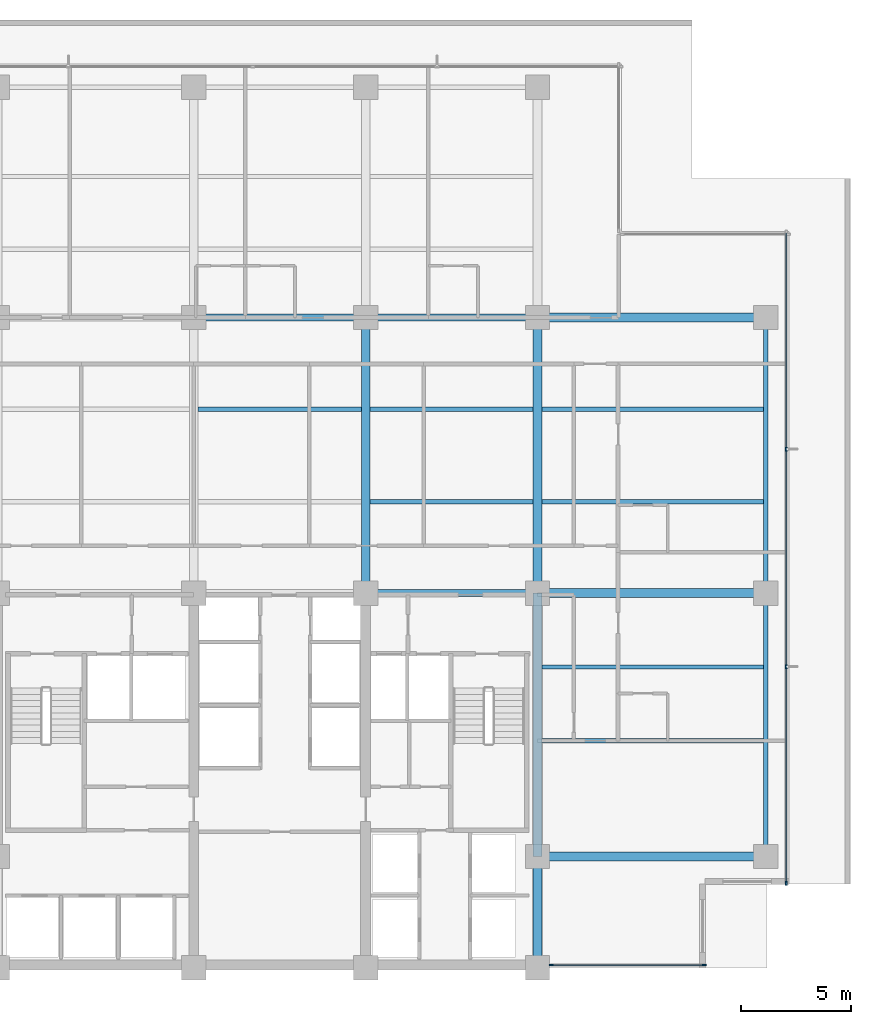
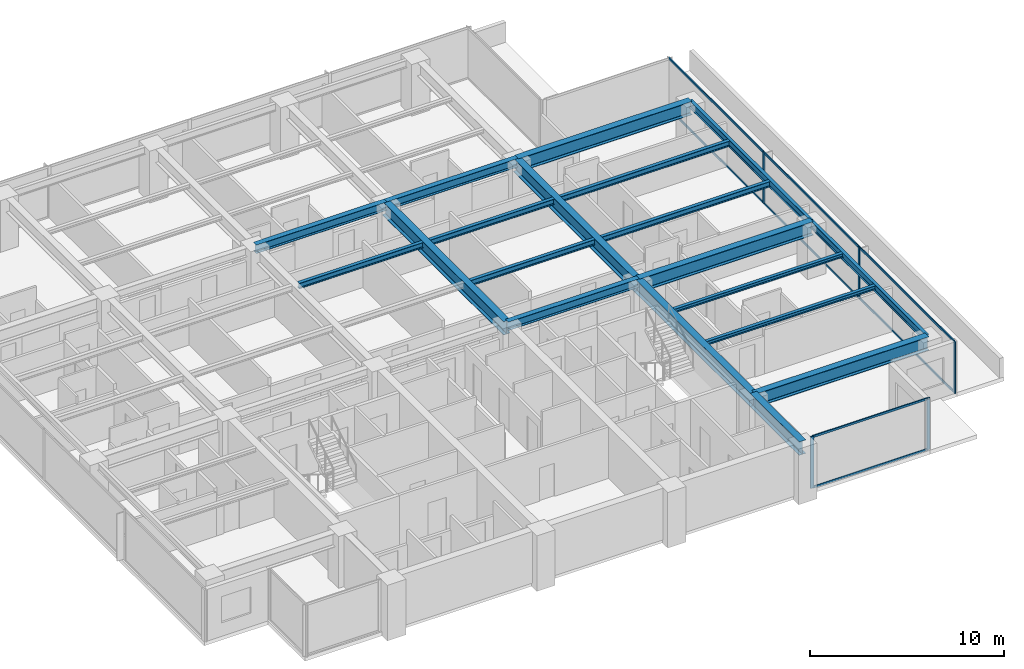
# One storey, part 3 of 16: 19 beams, 13 members, 2 elements without a shape of their own.
"""IFC4 building model written with IfcOpenShell, lengths in metres."""

from ifc_helpers import new_model, si_unit, direction, frame, origin, origin_2d, place, context, subcontext, project, spatial, rectangle, i_section, extrude, material, layer, layer_set, material_profile, profile_set, type_object, element, aggregate, save


model = new_model("IFC4")

# Units and contexts
model_context = context("Model", 3, precision=1e-05, world=origin(), true_north=direction((0.0, 1.0)))
body_context = subcontext(model_context, "Body", "Model", "MODEL_VIEW")
ifc_project = project(units=[si_unit("LENGTHUNIT", "METRE"), si_unit("AREAUNIT", "SQUARE_METRE"), si_unit("VOLUMEUNIT", "CUBIC_METRE"), si_unit("PLANEANGLEUNIT", "RADIAN"), si_unit("MASSUNIT", "GRAM", prefix="KILO")], contexts=[model_context])

# Site, building, storey
site_placement = place(None, origin())
site = spatial("IfcSite", under=ifc_project, at=site_placement, CompositionType="ELEMENT")
building_placement = place(site_placement, origin())
building = spatial("IfcBuilding", under=site, at=building_placement, Name="Qalmaran Belvedere Hotel", CompositionType="ELEMENT")
storey_placement = place(building_placement, frame((0.0, 0.0, 138.60009765625)))
storey = spatial("IfcBuildingStorey", under=building, at=storey_placement, Name="L34", CompositionType="ELEMENT", Elevation=138.60009765625)

# Beams
ifc_material_1 = material(Name="Steel S355JR", Category="steel")
ifc_material_profile_1 = material_profile(ifc_material_1, i_section(OverallWidth=0.201904296875, OverallDepth=0.2470703125, WebThickness=0.00732421875, FlangeThickness=0.010986328125, FilletRadius=0.011962890625, at=origin_2d()), Name="W250X49")
ifc_profile_set_1 = profile_set([ifc_material_profile_1], Name="Steel S355JR")
beam_type_1 = type_object("IfcBeamType", Name="BM-JST-W250X49", PredefinedType="JOIST", material=ifc_profile_set_1)
for number, where, z_axis, x_axis, name in (
    (1, (44.998046875, 13.800048828125, 3.12646484375), (1.0, 0.0, 0.0), (0.0, 1.0, 0.0), "L34 East Wing Joist 039"),
    (2, (44.998046875, 17.14990234375, 3.12646484375), (1.0, 0.0, 0.0), (0.0, 1.0, 0.0), "L34 East Wing Joist 041"),
):
    element("IfcBeam", number, at=place(storey_placement, frame(where, z_axis=z_axis, x_axis=x_axis)), inside=storey, type_object=beam_type_1, Name=name, PredefinedType="JOIST", context=body_context, shape_type="SweptSolid", body=[
        extrude(i_section(OverallWidth=0.201904296875, OverallDepth=0.2470703125, WebThickness=0.00732421875, FlangeThickness=0.010986328125, FilletRadius=0.011962890625, at=origin_2d()), origin(), (0.0, 0.0, 1.0), 10.057861328125),
    ])
ifc_material_profile_2 = material_profile(ifc_material_1, i_section(OverallWidth=0.39990234375, OverallDepth=0.85498046875, WebThickness=0.018310546875, FlangeThickness=0.029296875, FilletRadius=0.02392578125, at=origin_2d()), Name="W840X299")
ifc_profile_set_2 = profile_set([ifc_material_profile_2], Name="Steel S355JR")
beam_type_2 = type_object("IfcBeamType", Name="BM-PG3-W840X299", PredefinedType="USERDEFINED", material=ifc_profile_set_2)
for number, where, z_axis, x_axis, name in (
    (3, (37.0, 20.5, 2.822509765625), (0.0, 1.0, 0.0), (-1.0, 0.0, 0.0), "L34 Mid-Plate N-S Girder 18"),
    (4, (44.800048828125, 20.5, 2.822509765625), (0.0, 1.0, 0.0), (-1.0, 0.0, 0.0), "L34 Mid-Plate N-S Girder 20"),
):
    element("IfcBeam", number, at=place(storey_placement, frame(where, z_axis=z_axis, x_axis=x_axis)), inside=storey, type_object=beam_type_2, Name=name, ObjectType="GIRDER", PredefinedType="USERDEFINED", context=body_context, shape_type="SweptSolid", body=[
        extrude(i_section(OverallWidth=0.39990234375, OverallDepth=0.85498046875, WebThickness=0.018310546875, FlangeThickness=0.029296875, FilletRadius=0.02392578125, at=origin_2d()), origin(), (0.0, 0.0, 1.0), 12.5),
    ])
beam_1_placement = place(storey_placement, frame((44.800048828125, 3.5, 2.822509765625), z_axis=(0.0, 1.0, 0.0), x_axis=(-1.0, 0.0, 0.0)))
element("IfcBeam", 5, at=beam_1_placement, inside=storey, type_object=beam_type_2, Name="L34 East Core Edge Girder A", ObjectType="GIRDER", PredefinedType="USERDEFINED", context=body_context, shape_type="SweptSolid", body=[
    extrude(i_section(OverallWidth=0.39990234375, OverallDepth=0.85498046875, WebThickness=0.018310546875, FlangeThickness=0.029296875, FilletRadius=0.02392578125, at=origin_2d()), origin(), (0.0, 0.0, 1.0), 5.050048828125),
])
beam_2_placement = place(storey_placement, frame((44.800048828125, 8.550048828125, 2.822509765625), z_axis=(0.0, 1.0, 0.0), x_axis=(-1.0, 0.0, 0.0)))
element("IfcBeam", 6, at=beam_2_placement, inside=storey, type_object=beam_type_2, Name="L34 East Core Edge Girder B", ObjectType="GIRDER", PredefinedType="USERDEFINED", context=body_context, shape_type="SweptSolid", body=[
    extrude(i_section(OverallWidth=0.39990234375, OverallDepth=0.85498046875, WebThickness=0.018310546875, FlangeThickness=0.029296875, FilletRadius=0.02392578125, at=origin_2d()), origin(), (0.0, 0.0, 1.0), 11.949951171875),
])
for number, where, z_axis, x_axis, name in (
    (7, (44.800048828125, 8.550048828125, 2.822509765625), (1.0, 0.0, 0.0), (0.0, 1.0, 0.0), "L34 East Wing Girder 25"),
    (8, (44.800048828125, 20.5, 2.822509765625), (1.0, 0.0, 0.0), (0.0, 1.0, 0.0), "L34 East Wing Girder 26"),
    (9, (44.800048828125, 33.0, 2.822509765625), (1.0, 0.0, 0.0), (0.0, 1.0, 0.0), "L34 East Wing Girder 27"),
):
    element("IfcBeam", number, at=place(storey_placement, frame(where, z_axis=z_axis, x_axis=x_axis)), inside=storey, type_object=beam_type_2, Name=name, ObjectType="GIRDER", PredefinedType="USERDEFINED", context=body_context, shape_type="SweptSolid", body=[
        extrude(i_section(OverallWidth=0.39990234375, OverallDepth=0.85498046875, WebThickness=0.018310546875, FlangeThickness=0.029296875, FilletRadius=0.02392578125, at=origin_2d()), origin(), (0.0, 0.0, 1.0), 10.349853515625),
    ])
ifc_material_profile_3 = material_profile(ifc_material_1, i_section(OverallWidth=0.205078125, OverallDepth=0.35400390625, WebThickness=0.009521484375, FlangeThickness=0.016845703125, FilletRadius=0.014892578125, at=origin_2d()), Name="W360X79")
ifc_profile_set_3 = profile_set([ifc_material_profile_3], Name="Steel S355JR")
beam_type_3 = type_object("IfcBeamType", Name="BM-SB3-W360X79", PredefinedType="BEAM", material=ifc_profile_set_3)
beam_3_placement = place(storey_placement, frame((37.197998046875, 24.64990234375, 3.072998046875), z_axis=(1.0, 0.0, 0.0), x_axis=(0.0, 1.0, 0.0)))
element("IfcBeam", 10, at=beam_3_placement, inside=storey, type_object=beam_type_3, Name="L34 Secondary Floor Beam 031", PredefinedType="BEAM", context=body_context, shape_type="SweptSolid", body=[
    extrude(i_section(OverallWidth=0.205078125, OverallDepth=0.35400390625, WebThickness=0.009521484375, FlangeThickness=0.016845703125, FilletRadius=0.014892578125, at=origin_2d()), origin(), (0.0, 0.0, 1.0), 7.404052734375),
])
beam_4_placement = place(storey_placement, frame((44.998046875, 24.64990234375, 3.072998046875), z_axis=(1.0, 0.0, 0.0), x_axis=(0.0, 1.0, 0.0)))
element("IfcBeam", 11, at=beam_4_placement, inside=storey, type_object=beam_type_3, Name="L34 East Secondary Beam 032", PredefinedType="BEAM", context=body_context, shape_type="SweptSolid", body=[
    extrude(i_section(OverallWidth=0.205078125, OverallDepth=0.35400390625, WebThickness=0.009521484375, FlangeThickness=0.016845703125, FilletRadius=0.014892578125, at=origin_2d()), origin(), (0.0, 0.0, 1.0), 10.057861328125),
])
for number, where, z_axis, x_axis, name in (
    (12, (29.39794921875, 28.85009765625, 3.072998046875), (1.0, 0.0, 0.0), (0.0, 1.0, 0.0), "L34 Secondary Floor Beam 035"),
    (13, (37.197998046875, 28.85009765625, 3.072998046875), (1.0, 0.0, 0.0), (0.0, 1.0, 0.0), "L34 Secondary Floor Beam 036"),
):
    element("IfcBeam", number, at=place(storey_placement, frame(where, z_axis=z_axis, x_axis=x_axis)), inside=storey, type_object=beam_type_3, Name=name, PredefinedType="BEAM", context=body_context, shape_type="SweptSolid", body=[
        extrude(i_section(OverallWidth=0.205078125, OverallDepth=0.35400390625, WebThickness=0.009521484375, FlangeThickness=0.016845703125, FilletRadius=0.014892578125, at=origin_2d()), origin(), (0.0, 0.0, 1.0), 7.404052734375),
    ])
beam_5_placement = place(storey_placement, frame((44.998046875, 28.85009765625, 3.072998046875), z_axis=(1.0, 0.0, 0.0), x_axis=(0.0, 1.0, 0.0)))
element("IfcBeam", 14, at=beam_5_placement, inside=storey, type_object=beam_type_3, Name="L34 East Secondary Beam 037", PredefinedType="BEAM", context=body_context, shape_type="SweptSolid", body=[
    extrude(i_section(OverallWidth=0.205078125, OverallDepth=0.35400390625, WebThickness=0.009521484375, FlangeThickness=0.016845703125, FilletRadius=0.014892578125, at=origin_2d()), origin(), (0.0, 0.0, 1.0), 10.057861328125),
])
ifc_material_profile_4 = material_profile(ifc_material_1, i_section(OverallWidth=0.19189453125, OverallDepth=0.462890625, WebThickness=0.010498046875, FlangeThickness=0.017578125, FilletRadius=0.01611328125, at=origin_2d()), Name="W460X89")
ifc_profile_set_4 = profile_set([ifc_material_profile_4], Name="Steel S355JR")
beam_type_4 = type_object("IfcBeamType", Name="BM-SP2-W460X89", PredefinedType="SPANDREL", material=ifc_profile_set_4)
beam_6_placement = place(storey_placement, frame((55.14990234375, 8.550048828125, 3.018310546875), z_axis=(0.0, 1.0, 0.0), x_axis=(-1.0, 0.0, 0.0)))
element("IfcBeam", 15, at=beam_6_placement, inside=storey, type_object=beam_type_4, Name="L34 Perimeter Spandrel 03", PredefinedType="SPANDREL", context=body_context, shape_type="SweptSolid", body=[
    extrude(i_section(OverallWidth=0.19189453125, OverallDepth=0.462890625, WebThickness=0.010498046875, FlangeThickness=0.017578125, FilletRadius=0.01611328125, at=origin_2d()), origin(), (0.0, 0.0, 1.0), 11.949951171875),
])
beam_7_placement = place(storey_placement, frame((55.14990234375, 20.5, 3.018310546875), z_axis=(0.0, 1.0, 0.0), x_axis=(-1.0, 0.0, 0.0)))
element("IfcBeam", 16, at=beam_7_placement, inside=storey, type_object=beam_type_4, Name="L34 Perimeter Spandrel 04", PredefinedType="SPANDREL", context=body_context, shape_type="SweptSolid", body=[
    extrude(i_section(OverallWidth=0.19189453125, OverallDepth=0.462890625, WebThickness=0.010498046875, FlangeThickness=0.017578125, FilletRadius=0.01611328125, at=origin_2d()), origin(), (0.0, 0.0, 1.0), 12.5),
])
ifc_material_profile_5 = material_profile(ifc_material_1, i_section(OverallWidth=0.31201171875, OverallDepth=0.54296875, WebThickness=0.0126953125, FlangeThickness=0.020263671875, FilletRadius=0.01806640625, at=origin_2d()), Name="W530X150")
ifc_profile_set_5 = profile_set([ifc_material_profile_5], Name="Steel S355JR")
beam_type_5 = type_object("IfcBeamType", Name="BM-Z3-W530X150", PredefinedType="USERDEFINED", material=ifc_profile_set_5)
for number, where, z_axis, x_axis, name in (
    (17, (37.0, 20.5, 2.978515625), (1.0, 0.0, 0.0), (0.0, 1.0, 0.0), "L34 Interior E-W Girder 10"),
    (18, (29.199951171875, 33.0, 2.978515625), (1.0, 0.0, 0.0), (0.0, 1.0, 0.0), "L34 Interior E-W Girder 12"),
    (19, (37.0, 33.0, 2.978515625), (1.0, 0.0, 0.0), (0.0, 1.0, 0.0), "L34 Interior E-W Girder 13"),
):
    element("IfcBeam", number, at=place(storey_placement, frame(where, z_axis=z_axis, x_axis=x_axis)), inside=storey, type_object=beam_type_5, Name=name, ObjectType="GIRDER", PredefinedType="USERDEFINED", context=body_context, shape_type="SweptSolid", body=[
        extrude(i_section(OverallWidth=0.31201171875, OverallDepth=0.54296875, WebThickness=0.0126953125, FlangeThickness=0.020263671875, FilletRadius=0.01806640625, at=origin_2d()), origin(), (0.0, 0.0, 1.0), 7.800048828125),
    ])

# Curtain wall, members
ifc_material_2 = material(Name="Anodised Bronze Aluminium", Category="aluminium")
ifc_layer = layer(ifc_material_2, 0.195068359375, Name="Anodised Bronze Aluminium")
ifc_layer_set = layer_set([ifc_layer], Name="Anodised Bronze Aluminium")
curtain_wall_type = type_object("IfcCurtainWallType", Name="CW4-TOWER-HIGHMID", PredefinedType="NOTDEFINED", material=ifc_layer_set)
curtain_wall_1_placement = place(storey_placement, origin())
curtain_wall_1 = element("IfcCurtainWall", 20, at=curtain_wall_1_placement, inside=storey, type_object=curtain_wall_type, Name="L34 Curtain Wall CW4", PredefinedType="NOTDEFINED")
ifc_material_profile_6 = material_profile(ifc_material_2, rectangle(XDim=0.070068359375, YDim=0.18994140625, at=origin_2d()), Name="CWM70X190")
ifc_profile_set_6 = profile_set([ifc_material_profile_6], Name="Anodised Bronze Aluminium")
member_type_1 = type_object("IfcMemberType", Name="CWM-70X190", PredefinedType="MULLION", material=ifc_profile_set_6)
member_1_placement = place(storey_placement, frame((45.425048828125, 3.6201171875, 0.0), z_axis=(0.0, 0.0, 1.0), x_axis=(0.0, 1.0, 0.0)))
member_1 = element("IfcMember", 21, at=member_1_placement, type_object=member_type_1, Name="CW4 mullion 1", PredefinedType="MULLION", context=body_context, shape_type="SweptSolid", body=[
    extrude(rectangle(XDim=0.070068359375, YDim=0.18994140625, at=origin_2d()), origin(), (0.0, 0.0, 1.0), 3.25),
])
member_2_placement = place(storey_placement, frame((52.364990234375, 3.6201171875, 0.0), z_axis=(0.0, 0.0, 1.0), x_axis=(0.0, 1.0, 0.0)))
member_2 = element("IfcMember", 22, at=member_2_placement, type_object=member_type_1, Name="CW4 mullion 2", PredefinedType="MULLION", context=body_context, shape_type="SweptSolid", body=[
    extrude(rectangle(XDim=0.070068359375, YDim=0.18994140625, at=origin_2d()), origin(), (0.0, 0.0, 1.0), 3.25),
])

curtain_wall_2_placement = place(storey_placement, origin())
curtain_wall_2 = element("IfcCurtainWall", 23, at=curtain_wall_2_placement, inside=storey, type_object=curtain_wall_type, Name="L34 Curtain Wall CW4", PredefinedType="NOTDEFINED")
member_3_placement = place(storey_placement, frame((56.080078125, 7.3349609375, 0.0), z_axis=(0.0, 0.0, 1.0), x_axis=(-1.0, 0.0, 0.0)))
member_3 = element("IfcMember", 24, at=member_3_placement, type_object=member_type_1, Name="CW4 mullion 1", PredefinedType="MULLION", context=body_context, shape_type="SweptSolid", body=[
    extrude(rectangle(XDim=0.070068359375, YDim=0.18994140625, at=origin_2d()), origin(), (0.0, 0.0, 1.0), 3.25),
])
member_4_placement = place(storey_placement, frame((56.080078125, 17.166748046875, 0.0), z_axis=(0.0, 0.0, 1.0), x_axis=(-1.0, 0.0, 0.0)))
member_4 = element("IfcMember", 25, at=member_4_placement, type_object=member_type_1, Name="CW4 mullion 2", PredefinedType="MULLION", context=body_context, shape_type="SweptSolid", body=[
    extrude(rectangle(XDim=0.070068359375, YDim=0.18994140625, at=origin_2d()), origin(), (0.0, 0.0, 1.0), 3.25),
])
member_5_placement = place(storey_placement, frame((56.080078125, 27.033447265625, 0.0), z_axis=(0.0, 0.0, 1.0), x_axis=(-1.0, 0.0, 0.0)))
member_5 = element("IfcMember", 26, at=member_5_placement, type_object=member_type_1, Name="CW4 mullion 3", PredefinedType="MULLION", context=body_context, shape_type="SweptSolid", body=[
    extrude(rectangle(XDim=0.070068359375, YDim=0.18994140625, at=origin_2d()), origin(), (0.0, 0.0, 1.0), 3.25),
])

# Member
ifc_material_profile_7 = material_profile(ifc_material_2, rectangle(XDim=0.06494140625, YDim=0.1298828125, at=origin_2d()), Name="CWT65X130")
ifc_profile_set_7 = profile_set([ifc_material_profile_7], Name="Anodised Bronze Aluminium")
member_type_2 = type_object("IfcMemberType", Name="CWT-65X130", PredefinedType="USERDEFINED", material=ifc_profile_set_7)
member_6_placement = place(storey_placement, frame((45.4599609375, 3.6201171875, 0.032470703125), z_axis=(1.0, 0.0, 0.0), x_axis=(0.0, 1.0, 0.0)))
member_6 = element("IfcMember", 27, at=member_6_placement, type_object=member_type_2, Name="CW4 transom 1.1", ObjectType="TRANSOM", PredefinedType="USERDEFINED", context=body_context, shape_type="SweptSolid", body=[
    extrude(rectangle(XDim=0.06494140625, YDim=0.1298828125, at=origin_2d()), origin(), (0.0, 0.0, 1.0), 6.8701171875),
])

member_7_placement = place(storey_placement, frame((45.4599609375, 3.6201171875, 3.21728515625), z_axis=(1.0, 0.0, 0.0), x_axis=(0.0, 1.0, 0.0)))
member_7 = element("IfcMember", 28, at=member_7_placement, type_object=member_type_2, Name="CW4 transom 1.2", ObjectType="TRANSOM", PredefinedType="USERDEFINED", context=body_context, shape_type="SweptSolid", body=[
    extrude(rectangle(XDim=0.06494140625, YDim=0.1298828125, at=origin_2d()), origin(), (0.0, 0.0, 1.0), 6.8701171875),
])

aggregate(curtain_wall_1, [member_1, member_2, member_6, member_7])

member_8_placement = place(storey_placement, frame((56.080078125, 7.3701171875, 0.032470703125), z_axis=(0.0, 1.0, 0.0), x_axis=(-1.0, 0.0, 0.0)))
member_8 = element("IfcMember", 29, at=member_8_placement, type_object=member_type_2, Name="CW4 transom 1.1", ObjectType="TRANSOM", PredefinedType="USERDEFINED", context=body_context, shape_type="SweptSolid", body=[
    extrude(rectangle(XDim=0.06494140625, YDim=0.1298828125, at=origin_2d()), origin(), (0.0, 0.0, 1.0), 9.761474609375),
])

member_9_placement = place(storey_placement, frame((56.080078125, 7.3701171875, 3.21728515625), z_axis=(0.0, 1.0, 0.0), x_axis=(-1.0, 0.0, 0.0)))
member_9 = element("IfcMember", 30, at=member_9_placement, type_object=member_type_2, Name="CW4 transom 1.2", ObjectType="TRANSOM", PredefinedType="USERDEFINED", context=body_context, shape_type="SweptSolid", body=[
    extrude(rectangle(XDim=0.06494140625, YDim=0.1298828125, at=origin_2d()), origin(), (0.0, 0.0, 1.0), 9.761474609375),
])

member_10_placement = place(storey_placement, frame((56.080078125, 17.20166015625, 0.032470703125), z_axis=(0.0, 1.0, 0.0), x_axis=(-1.0, 0.0, 0.0)))
member_10 = element("IfcMember", 31, at=member_10_placement, type_object=member_type_2, Name="CW4 transom 2.1", ObjectType="TRANSOM", PredefinedType="USERDEFINED", context=body_context, shape_type="SweptSolid", body=[
    extrude(rectangle(XDim=0.06494140625, YDim=0.1298828125, at=origin_2d()), origin(), (0.0, 0.0, 1.0), 9.796630859375),
])

member_11_placement = place(storey_placement, frame((56.080078125, 17.20166015625, 3.21728515625), z_axis=(0.0, 1.0, 0.0), x_axis=(-1.0, 0.0, 0.0)))
member_11 = element("IfcMember", 32, at=member_11_placement, type_object=member_type_2, Name="CW4 transom 2.2", ObjectType="TRANSOM", PredefinedType="USERDEFINED", context=body_context, shape_type="SweptSolid", body=[
    extrude(rectangle(XDim=0.06494140625, YDim=0.1298828125, at=origin_2d()), origin(), (0.0, 0.0, 1.0), 9.796630859375),
])

member_12_placement = place(storey_placement, frame((56.080078125, 27.068359375, 0.032470703125), z_axis=(0.0, 1.0, 0.0), x_axis=(-1.0, 0.0, 0.0)))
member_12 = element("IfcMember", 33, at=member_12_placement, type_object=member_type_2, Name="CW4 transom 3.1", ObjectType="TRANSOM", PredefinedType="USERDEFINED", context=body_context, shape_type="SweptSolid", body=[
    extrude(rectangle(XDim=0.06494140625, YDim=0.1298828125, at=origin_2d()), origin(), (0.0, 0.0, 1.0), 9.76171875),
])

member_13_placement = place(storey_placement, frame((56.080078125, 27.068359375, 3.21728515625), z_axis=(0.0, 1.0, 0.0), x_axis=(-1.0, 0.0, 0.0)))
member_13 = element("IfcMember", 34, at=member_13_placement, type_object=member_type_2, Name="CW4 transom 3.2", ObjectType="TRANSOM", PredefinedType="USERDEFINED", context=body_context, shape_type="SweptSolid", body=[
    extrude(rectangle(XDim=0.06494140625, YDim=0.1298828125, at=origin_2d()), origin(), (0.0, 0.0, 1.0), 9.76171875),
])

aggregate(curtain_wall_2, [member_3, member_4, member_5, member_8, member_9, member_10, member_11, member_12, member_13])

save(model, "model.ifc")
